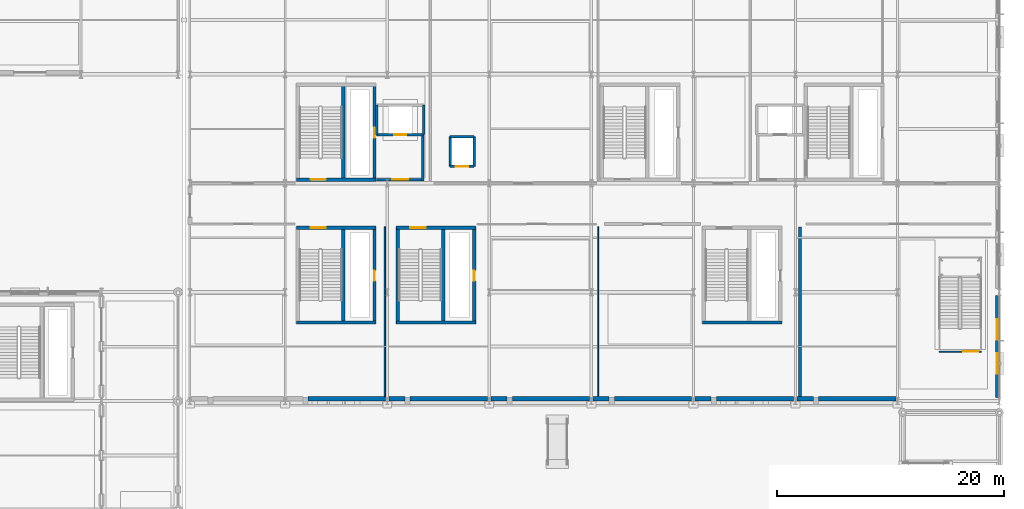
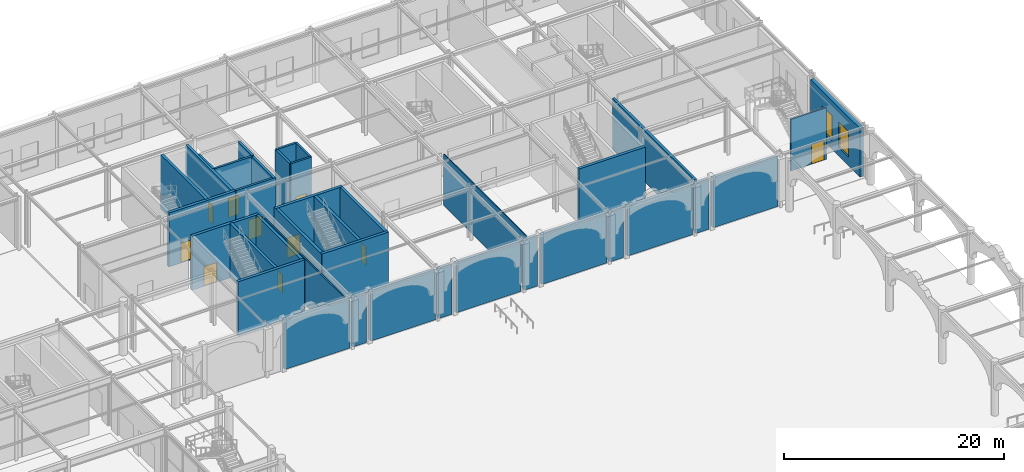
# One storey, part 67 of 113: 38 walls, 10 doors, 2 windows, 12 openings.
"""IFC4 building model written with IfcOpenShell, lengths in metres."""

from ifc_helpers import new_model, si_unit, direction, frame, frame_2d, origin, place, context, subcontext, project, spatial, rectangle, extrude, material, layer, layer_set, type_object, element, fill, save


model = new_model("IFC4")

# Units and contexts
model_context = context("Model", 3, precision=1e-05, world=origin(), true_north=direction((0.0, 1.0)))
body_context = subcontext(model_context, "Body", "Model", "MODEL_VIEW")
ifc_project = project(units=[si_unit("LENGTHUNIT", "METRE"), si_unit("AREAUNIT", "SQUARE_METRE"), si_unit("VOLUMEUNIT", "CUBIC_METRE"), si_unit("PLANEANGLEUNIT", "RADIAN"), si_unit("MASSUNIT", "GRAM", prefix="KILO")], contexts=[model_context])

# Site, building, storey
site_placement = place(None, origin())
site = spatial("IfcSite", under=ifc_project, at=site_placement, CompositionType="ELEMENT")
building_placement = place(site_placement, origin())
building = spatial("IfcBuilding", under=site, at=building_placement, Name="Myrtia Square Station", CompositionType="ELEMENT")
storey_placement = place(building_placement, origin())
storey = spatial("IfcBuildingStorey", under=building, at=storey_placement, Name="L00", CompositionType="ELEMENT", Elevation=0.0)

# Wall, opening, door
ifc_material_1 = material(Name="Concrete C35/45", Category="concrete")
ifc_layer_1 = layer(ifc_material_1, 0.300048828125, Name="Concrete C35/45")
ifc_layer_set_1 = layer_set([ifc_layer_1], Name="Concrete C35/45")
wall_type_1 = type_object("IfcWallType", Name="WL-CORE-300", PredefinedType="SHEAR", material=ifc_layer_set_1)
wall_1_placement = place(storey_placement, frame((127.0, 105.925048828125, 0.0), z_axis=(0.0, 0.0, 1.0), x_axis=(1.0, 0.0, 0.0)))
wall_1 = element("IfcWall", 1, at=wall_1_placement, inside=storey, type_object=wall_type_1, Name="Core K7 shear wall L00 S", PredefinedType="SHEAR", context=body_context, shape_type="SweptSolid", body=[
    extrude(rectangle(XDim=7.0, YDim=0.300048828125, at=frame_2d((3.5, 0.0))), origin(), (0.0, 0.0, 1.0), 6.0),
])
opening_1_placement = place(wall_1_placement, frame((1.25, 0.0, 0.0)))
opening_1 = element("IfcOpeningElement", 2, at=opening_1_placement, cuts=wall_1, Name="Opening SD-110", PredefinedType="OPENING", context=body_context, shape_type="SweptSolid", body=[
    extrude(rectangle(XDim=1.35009765625, YDim=2.199951171875, at=frame_2d((0.675048828125, 1.10009765625))), frame((0.0, 0.1650390625, 0.0), z_axis=(0.0, -1.0, 0.0), x_axis=(1.0, 0.0, 0.0)), (0.0, 0.0, 1.0), 0.330078125),
])
ifc_material_2 = material(Name="Dark bronze anodised aluminium", Category="aluminium")
door_type_1 = type_object("IfcDoorType", Name="DR-STAIR-1350x2200", OperationType="NOTDEFINED", PredefinedType="DOOR", material=ifc_material_2)
door_1_placement = place(opening_1_placement, frame((1.35009765625, 0.0, 0.0), z_axis=(0.0, 0.0, 1.0), x_axis=(-1.0, 0.0, 0.0)))
door_1 = element("IfcDoor", 3, at=door_1_placement, inside=storey, type_object=door_type_1, Name="Protected stair fire door K7 L00", OperationType="SINGLE_SWING_RIGHT", OverallHeight=2.199951171875, OverallWidth=1.35009765625, PredefinedType="DOOR", context=body_context, shape_type="SweptSolid", body=[
    extrude(rectangle(XDim=1.35009765625, YDim=2.199951171875, at=frame_2d((0.675048828125, 1.10009765625))), frame((0.0, 0.02490234375, 0.0), z_axis=(0.0, -1.0, 0.0), x_axis=(1.0, 0.0, 0.0)), (0.0, 0.0, 1.0), 0.050048828125),
])
fill(opening_1, door_1)

wall_2_placement = place(storey_placement, frame((133.875, 105.800048828125, 0.0), z_axis=(0.0, 0.0, 1.0), x_axis=(0.0, 1.0, 0.0)))
wall_2 = element("IfcWall", 4, at=wall_2_placement, inside=storey, type_object=wall_type_1, Name="Core K7 shear wall L00 E", PredefinedType="SHEAR", context=body_context, shape_type="SweptSolid", body=[
    extrude(rectangle(XDim=8.599853515625, YDim=0.300048828125, at=frame_2d((4.2998046875, 0.0))), origin(), (0.0, 0.0, 1.0), 6.0),
])
opening_2_placement = place(wall_2_placement, frame((3.800048828125, 0.0, 0.0)))
opening_2 = element("IfcOpeningElement", 5, at=opening_2_placement, cuts=wall_2, Name="Opening RD-111", PredefinedType="OPENING", context=body_context, shape_type="SweptSolid", body=[
    extrude(rectangle(XDim=0.89990234375, YDim=2.050048828125, at=frame_2d((0.449951171875, 1.02490234375))), frame((0.0, 0.1650390625, 0.0), z_axis=(0.0, -1.0, 0.0), x_axis=(1.0, 0.0, 0.0)), (0.0, 0.0, 1.0), 0.330078125),
])
door_type_2 = type_object("IfcDoorType", Name="DR-RISER-900x2050", OperationType="NOTDEFINED", PredefinedType="DOOR", material=ifc_material_2)
door_2_placement = place(opening_2_placement, origin())
door_2 = element("IfcDoor", 6, at=door_2_placement, inside=storey, type_object=door_type_2, Name="Riser cupboard access door K7 L00", OperationType="SINGLE_SWING_LEFT", OverallHeight=2.050048828125, OverallWidth=0.89990234375, PredefinedType="DOOR", context=body_context, shape_type="SweptSolid", body=[
    extrude(rectangle(XDim=0.89990234375, YDim=2.050048828125, at=frame_2d((0.449951171875, 1.02490234375))), frame((0.0, 0.02490234375, 0.0), z_axis=(0.0, -1.0, 0.0), x_axis=(1.0, 0.0, 0.0)), (0.0, 0.0, 1.0), 0.050048828125),
])
fill(opening_2, door_2)

# Walls
wall_3_placement = place(storey_placement, frame((131.139892578125, 106.0, 0.0), z_axis=(0.0, 0.0, 1.0), x_axis=(0.0, 1.0, 0.0)))
element("IfcWall", 7, at=wall_3_placement, inside=storey, type_object=wall_type_1, Name="Core K7 shear wall L00 D", PredefinedType="SHEAR", context=body_context, shape_type="SweptSolid", body=[
    extrude(rectangle(XDim=8.199951171875, YDim=0.300048828125, at=frame_2d((4.10009765625, 0.0))), origin(), (0.0, 0.0, 1.0), 6.0),
])
wall_4_placement = place(storey_placement, frame((127.0, 93.324951171875, 0.0), z_axis=(0.0, 0.0, 1.0), x_axis=(1.0, 0.0, 0.0)))
element("IfcWall", 8, at=wall_4_placement, inside=storey, type_object=wall_type_1, Name="Core K12 shear wall L00 S", PredefinedType="SHEAR", context=body_context, shape_type="SweptSolid", body=[
    extrude(rectangle(XDim=7.0, YDim=0.300048828125, at=frame_2d((3.5, 0.0))), origin(), (0.0, 0.0, 1.0), 6.0),
])

# Wall, opening, door
wall_5_placement = place(storey_placement, frame((127.0, 101.675048828125, 0.0), z_axis=(0.0, 0.0, 1.0), x_axis=(1.0, 0.0, 0.0)))
wall_5 = element("IfcWall", 9, at=wall_5_placement, inside=storey, type_object=wall_type_1, Name="Core K12 shear wall L00 N", PredefinedType="SHEAR", context=body_context, shape_type="SweptSolid", body=[
    extrude(rectangle(XDim=7.0, YDim=0.300048828125, at=frame_2d((3.5, 0.0))), origin(), (0.0, 0.0, 1.0), 6.0),
])
opening_3_placement = place(wall_5_placement, frame((1.25, 0.0, 0.0)))
opening_3 = element("IfcOpeningElement", 10, at=opening_3_placement, cuts=wall_5, Name="Opening SD-145", PredefinedType="OPENING", context=body_context, shape_type="SweptSolid", body=[
    extrude(rectangle(XDim=1.35009765625, YDim=2.199951171875, at=frame_2d((0.675048828125, 1.10009765625))), frame((0.0, 0.1650390625, 0.0), z_axis=(0.0, -1.0, 0.0), x_axis=(1.0, 0.0, 0.0)), (0.0, 0.0, 1.0), 0.330078125),
])
door_3_placement = place(opening_3_placement, origin())
door_3 = element("IfcDoor", 11, at=door_3_placement, inside=storey, type_object=door_type_1, Name="Protected stair fire door K12 L00", OperationType="SINGLE_SWING_LEFT", OverallHeight=2.199951171875, OverallWidth=1.35009765625, PredefinedType="DOOR", context=body_context, shape_type="SweptSolid", body=[
    extrude(rectangle(XDim=1.35009765625, YDim=2.199951171875, at=frame_2d((0.675048828125, 1.10009765625))), frame((0.0, 0.02490234375, 0.0), z_axis=(0.0, -1.0, 0.0), x_axis=(1.0, 0.0, 0.0)), (0.0, 0.0, 1.0), 0.050048828125),
])
fill(opening_3, door_3)

wall_6_placement = place(storey_placement, frame((133.875, 93.199951171875, 0.0), z_axis=(0.0, 0.0, 1.0), x_axis=(0.0, 1.0, 0.0)))
wall_6 = element("IfcWall", 12, at=wall_6_placement, inside=storey, type_object=wall_type_1, Name="Core K12 shear wall L00 E", PredefinedType="SHEAR", context=body_context, shape_type="SweptSolid", body=[
    extrude(rectangle(XDim=8.60009765625, YDim=0.300048828125, at=frame_2d((4.300048828125, 0.0))), origin(), (0.0, 0.0, 1.0), 6.0),
])
opening_4_placement = place(wall_6_placement, frame((3.800048828125, 0.0, 0.0)))
opening_4 = element("IfcOpeningElement", 13, at=opening_4_placement, cuts=wall_6, Name="Opening RD-146", PredefinedType="OPENING", context=body_context, shape_type="SweptSolid", body=[
    extrude(rectangle(XDim=0.89990234375, YDim=2.050048828125, at=frame_2d((0.449951171875, 1.02490234375))), frame((0.0, 0.1650390625, 0.0), z_axis=(0.0, -1.0, 0.0), x_axis=(1.0, 0.0, 0.0)), (0.0, 0.0, 1.0), 0.330078125),
])
door_4_placement = place(opening_4_placement, origin())
door_4 = element("IfcDoor", 14, at=door_4_placement, inside=storey, type_object=door_type_2, Name="Riser cupboard access door K12 L00", OperationType="SINGLE_SWING_RIGHT", OverallHeight=2.050048828125, OverallWidth=0.89990234375, PredefinedType="DOOR", context=body_context, shape_type="SweptSolid", body=[
    extrude(rectangle(XDim=0.89990234375, YDim=2.050048828125, at=frame_2d((0.449951171875, 1.02490234375))), frame((0.0, 0.02490234375, 0.0), z_axis=(0.0, -1.0, 0.0), x_axis=(1.0, 0.0, 0.0)), (0.0, 0.0, 1.0), 0.050048828125),
])
fill(opening_4, door_4)

# Walls
wall_7_placement = place(storey_placement, frame((131.139892578125, 93.39990234375, 0.0), z_axis=(0.0, 0.0, 1.0), x_axis=(0.0, 1.0, 0.0)))
element("IfcWall", 15, at=wall_7_placement, inside=storey, type_object=wall_type_1, Name="Core K12 shear wall L00 D", PredefinedType="SHEAR", context=body_context, shape_type="SweptSolid", body=[
    extrude(rectangle(XDim=8.2001953125, YDim=0.300048828125, at=frame_2d((4.10009765625, 0.0))), origin(), (0.0, 0.0, 1.0), 6.0),
])
wall_8_placement = place(storey_placement, frame((135.800048828125, 93.324951171875, 0.0), z_axis=(0.0, 0.0, 1.0), x_axis=(1.0, 0.0, 0.0)))
element("IfcWall", 16, at=wall_8_placement, inside=storey, type_object=wall_type_1, Name="Core K13 shear wall L00 S", PredefinedType="SHEAR", context=body_context, shape_type="SweptSolid", body=[
    extrude(rectangle(XDim=7.0, YDim=0.300048828125, at=frame_2d((3.5, 0.0))), origin(), (0.0, 0.0, 1.0), 6.0),
])

# Wall, opening, door
wall_9_placement = place(storey_placement, frame((135.800048828125, 101.675048828125, 0.0), z_axis=(0.0, 0.0, 1.0), x_axis=(1.0, 0.0, 0.0)))
wall_9 = element("IfcWall", 17, at=wall_9_placement, inside=storey, type_object=wall_type_1, Name="Core K13 shear wall L00 N", PredefinedType="SHEAR", context=body_context, shape_type="SweptSolid", body=[
    extrude(rectangle(XDim=7.0, YDim=0.300048828125, at=frame_2d((3.5, 0.0))), origin(), (0.0, 0.0, 1.0), 6.0),
])
opening_5_placement = place(wall_9_placement, frame((1.25, 0.0, 0.0)))
opening_5 = element("IfcOpeningElement", 18, at=opening_5_placement, cuts=wall_9, Name="Opening SD-155", PredefinedType="OPENING", context=body_context, shape_type="SweptSolid", body=[
    extrude(rectangle(XDim=1.35009765625, YDim=2.199951171875, at=frame_2d((0.675048828125, 1.10009765625))), frame((0.0, 0.1650390625, 0.0), z_axis=(0.0, -1.0, 0.0), x_axis=(1.0, 0.0, 0.0)), (0.0, 0.0, 1.0), 0.330078125),
])
door_5_placement = place(opening_5_placement, origin())
door_5 = element("IfcDoor", 19, at=door_5_placement, inside=storey, type_object=door_type_1, Name="Protected stair fire door K13 L00", OperationType="SINGLE_SWING_LEFT", OverallHeight=2.199951171875, OverallWidth=1.35009765625, PredefinedType="DOOR", context=body_context, shape_type="SweptSolid", body=[
    extrude(rectangle(XDim=1.35009765625, YDim=2.199951171875, at=frame_2d((0.675048828125, 1.10009765625))), frame((0.0, 0.02490234375, 0.0), z_axis=(0.0, -1.0, 0.0), x_axis=(1.0, 0.0, 0.0)), (0.0, 0.0, 1.0), 0.050048828125),
])
fill(opening_5, door_5)

# Wall
wall_10_placement = place(storey_placement, frame((135.925048828125, 93.199951171875, 0.0), z_axis=(0.0, 0.0, 1.0), x_axis=(0.0, 1.0, 0.0)))
element("IfcWall", 20, at=wall_10_placement, inside=storey, type_object=wall_type_1, Name="Core K13 shear wall L00 W", PredefinedType="SHEAR", context=body_context, shape_type="SweptSolid", body=[
    extrude(rectangle(XDim=8.60009765625, YDim=0.300048828125, at=frame_2d((4.300048828125, 0.0))), origin(), (0.0, 0.0, 1.0), 6.0),
])

# Wall, opening, door
wall_11_placement = place(storey_placement, frame((142.675048828125, 93.199951171875, 0.0), z_axis=(0.0, 0.0, 1.0), x_axis=(0.0, 1.0, 0.0)))
wall_11 = element("IfcWall", 21, at=wall_11_placement, inside=storey, type_object=wall_type_1, Name="Core K13 shear wall L00 E", PredefinedType="SHEAR", context=body_context, shape_type="SweptSolid", body=[
    extrude(rectangle(XDim=8.60009765625, YDim=0.300048828125, at=frame_2d((4.300048828125, 0.0))), origin(), (0.0, 0.0, 1.0), 6.0),
])
opening_6_placement = place(wall_11_placement, frame((3.800048828125, 0.0, 0.0)))
opening_6 = element("IfcOpeningElement", 22, at=opening_6_placement, cuts=wall_11, Name="Opening RD-156", PredefinedType="OPENING", context=body_context, shape_type="SweptSolid", body=[
    extrude(rectangle(XDim=0.89990234375, YDim=2.050048828125, at=frame_2d((0.449951171875, 1.02490234375))), frame((0.0, 0.1650390625, 0.0), z_axis=(0.0, -1.0, 0.0), x_axis=(1.0, 0.0, 0.0)), (0.0, 0.0, 1.0), 0.330078125),
])
door_6_placement = place(opening_6_placement, origin())
door_6 = element("IfcDoor", 23, at=door_6_placement, inside=storey, type_object=door_type_2, Name="Riser cupboard access door K13 L00", OperationType="SINGLE_SWING_RIGHT", OverallHeight=2.050048828125, OverallWidth=0.89990234375, PredefinedType="DOOR", context=body_context, shape_type="SweptSolid", body=[
    extrude(rectangle(XDim=0.89990234375, YDim=2.050048828125, at=frame_2d((0.449951171875, 1.02490234375))), frame((0.0, 0.02490234375, 0.0), z_axis=(0.0, -1.0, 0.0), x_axis=(1.0, 0.0, 0.0)), (0.0, 0.0, 1.0), 0.050048828125),
])
fill(opening_6, door_6)

# Walls
wall_12_placement = place(storey_placement, frame((139.93994140625, 93.39990234375, 0.0), z_axis=(0.0, 0.0, 1.0), x_axis=(0.0, 1.0, 0.0)))
element("IfcWall", 24, at=wall_12_placement, inside=storey, type_object=wall_type_1, Name="Core K13 shear wall L00 D", PredefinedType="SHEAR", context=body_context, shape_type="SweptSolid", body=[
    extrude(rectangle(XDim=8.2001953125, YDim=0.300048828125, at=frame_2d((4.10009765625, 0.0))), origin(), (0.0, 0.0, 1.0), 6.0),
])
wall_13_placement = place(storey_placement, frame((162.800048828125, 93.324951171875, 0.0), z_axis=(0.0, 0.0, 1.0), x_axis=(1.0, 0.0, 0.0)))
element("IfcWall", 25, at=wall_13_placement, inside=storey, type_object=wall_type_1, Name="Core K16 shear wall L00 S", PredefinedType="SHEAR", context=body_context, shape_type="SweptSolid", body=[
    extrude(rectangle(XDim=7.0, YDim=0.300048828125, at=frame_2d((3.5, 0.0))), origin(), (0.0, 0.0, 1.0), 6.0),
])
ifc_material_3 = material(Name="Pentelic marble ashlar", Category="masonry")
ifc_layer_2 = layer(ifc_material_3, 0.3798828125, Name="Pentelic marble ashlar")
ifc_layer_set_2 = layer_set([ifc_layer_2], Name="Pentelic marble ashlar")
wall_type_2 = type_object("IfcWallType", Name="WL-EXT-ASHLAR-380", PredefinedType="SOLIDWALL", material=ifc_layer_set_2)
wall_14_placement = place(storey_placement, frame((128.030029296875, 86.60009765625, 0.0), z_axis=(0.0, 0.0, 1.0), x_axis=(1.0, 0.0, 0.0)))
element("IfcWall", 26, at=wall_14_placement, inside=storey, type_object=wall_type_2, Name="Exterior envelope wall EW-L00-0085", PredefinedType="SOLIDWALL", context=body_context, shape_type="SweptSolid", body=[
    extrude(rectangle(XDim=6.81494140625, YDim=0.3798828125, at=frame_2d((3.407470703125, 0.0))), origin(), (0.0, 0.0, 1.0), 5.489990234375),
])
wall_15_placement = place(storey_placement, frame((135.155029296875, 86.60009765625, 0.0), z_axis=(0.0, 0.0, 1.0), x_axis=(1.0, 0.0, 0.0)))
element("IfcWall", 27, at=wall_15_placement, inside=storey, type_object=wall_type_2, Name="Exterior envelope wall EW-L00-0086", PredefinedType="SOLIDWALL", context=body_context, shape_type="SweptSolid", body=[
    extrude(rectangle(XDim=1.4150390625, YDim=0.3798828125, at=frame_2d((0.70751953125, 0.0))), origin(), (0.0, 0.0, 1.0), 5.489990234375),
])
wall_16_placement = place(storey_placement, frame((137.030029296875, 86.60009765625, 0.0), z_axis=(0.0, 0.0, 1.0), x_axis=(1.0, 0.0, 0.0)))
element("IfcWall", 28, at=wall_16_placement, inside=storey, type_object=wall_type_2, Name="Exterior envelope wall EW-L00-0087", PredefinedType="SOLIDWALL", context=body_context, shape_type="SweptSolid", body=[
    extrude(rectangle(XDim=6.81494140625, YDim=0.3798828125, at=frame_2d((3.407470703125, 0.0))), origin(), (0.0, 0.0, 1.0), 5.489990234375),
])
wall_17_placement = place(storey_placement, frame((144.155029296875, 86.60009765625, 0.0), z_axis=(0.0, 0.0, 1.0), x_axis=(1.0, 0.0, 0.0)))
element("IfcWall", 29, at=wall_17_placement, inside=storey, type_object=wall_type_2, Name="Exterior envelope wall EW-L00-0088", PredefinedType="SOLIDWALL", context=body_context, shape_type="SweptSolid", body=[
    extrude(rectangle(XDim=1.4150390625, YDim=0.3798828125, at=frame_2d((0.70751953125, 0.0))), origin(), (0.0, 0.0, 1.0), 5.489990234375),
])
wall_18_placement = place(storey_placement, frame((146.030029296875, 86.60009765625, 0.0), z_axis=(0.0, 0.0, 1.0), x_axis=(1.0, 0.0, 0.0)))
element("IfcWall", 30, at=wall_18_placement, inside=storey, type_object=wall_type_2, Name="Exterior envelope wall EW-L00-0089", PredefinedType="SOLIDWALL", context=body_context, shape_type="SweptSolid", body=[
    extrude(rectangle(XDim=6.81494140625, YDim=0.3798828125, at=frame_2d((3.407470703125, 0.0))), origin(), (0.0, 0.0, 1.0), 5.489990234375),
])
wall_19_placement = place(storey_placement, frame((153.155029296875, 86.60009765625, 0.0), z_axis=(0.0, 0.0, 1.0), x_axis=(1.0, 0.0, 0.0)))
element("IfcWall", 31, at=wall_19_placement, inside=storey, type_object=wall_type_2, Name="Exterior envelope wall EW-L00-0090", PredefinedType="SOLIDWALL", context=body_context, shape_type="SweptSolid", body=[
    extrude(rectangle(XDim=1.4150390625, YDim=0.3798828125, at=frame_2d((0.70751953125, 0.0))), origin(), (0.0, 0.0, 1.0), 5.489990234375),
])
wall_20_placement = place(storey_placement, frame((155.030029296875, 86.60009765625, 0.0), z_axis=(0.0, 0.0, 1.0), x_axis=(1.0, 0.0, 0.0)))
element("IfcWall", 32, at=wall_20_placement, inside=storey, type_object=wall_type_2, Name="Exterior envelope wall EW-L00-0091", PredefinedType="SOLIDWALL", context=body_context, shape_type="SweptSolid", body=[
    extrude(rectangle(XDim=6.81494140625, YDim=0.3798828125, at=frame_2d((3.407470703125, 0.0))), origin(), (0.0, 0.0, 1.0), 5.489990234375),
])
wall_21_placement = place(storey_placement, frame((162.155029296875, 86.60009765625, 0.0), z_axis=(0.0, 0.0, 1.0), x_axis=(1.0, 0.0, 0.0)))
element("IfcWall", 33, at=wall_21_placement, inside=storey, type_object=wall_type_2, Name="Exterior envelope wall EW-L00-0092", PredefinedType="SOLIDWALL", context=body_context, shape_type="SweptSolid", body=[
    extrude(rectangle(XDim=1.4150390625, YDim=0.3798828125, at=frame_2d((0.70751953125, 0.0))), origin(), (0.0, 0.0, 1.0), 5.489990234375),
])
wall_22_placement = place(storey_placement, frame((164.030029296875, 86.60009765625, 0.0), z_axis=(0.0, 0.0, 1.0), x_axis=(1.0, 0.0, 0.0)))
element("IfcWall", 34, at=wall_22_placement, inside=storey, type_object=wall_type_2, Name="Exterior envelope wall EW-L00-0093", PredefinedType="SOLIDWALL", context=body_context, shape_type="SweptSolid", body=[
    extrude(rectangle(XDim=6.81494140625, YDim=0.3798828125, at=frame_2d((3.407470703125, 0.0))), origin(), (0.0, 0.0, 1.0), 5.489990234375),
])
wall_23_placement = place(storey_placement, frame((171.155029296875, 86.60009765625, 0.0), z_axis=(0.0, 0.0, 1.0), x_axis=(1.0, 0.0, 0.0)))
element("IfcWall", 35, at=wall_23_placement, inside=storey, type_object=wall_type_2, Name="Exterior envelope wall EW-L00-0094", PredefinedType="SOLIDWALL", context=body_context, shape_type="SweptSolid", body=[
    extrude(rectangle(XDim=1.4150390625, YDim=0.3798828125, at=frame_2d((0.70751953125, 0.0))), origin(), (0.0, 0.0, 1.0), 5.489990234375),
])
wall_24_placement = place(storey_placement, frame((173.030029296875, 86.60009765625, 0.0), z_axis=(0.0, 0.0, 1.0), x_axis=(1.0, 0.0, 0.0)))
element("IfcWall", 36, at=wall_24_placement, inside=storey, type_object=wall_type_2, Name="Exterior envelope wall EW-L00-0095", PredefinedType="SOLIDWALL", context=body_context, shape_type="SweptSolid", body=[
    extrude(rectangle(XDim=6.81494140625, YDim=0.3798828125, at=frame_2d((3.407470703125, 0.0))), origin(), (0.0, 0.0, 1.0), 5.489990234375),
])

# Wall, openings, windows
ifc_material_4 = material(Name="Cream lime stucco on clay brick masonry", Category="masonry")
ifc_layer_3 = layer(ifc_material_4, 0.360107421875, Name="Cream lime stucco on clay brick masonry")
ifc_layer_set_3 = layer_set([ifc_layer_3], Name="Cream lime stucco on clay brick masonry")
wall_type_3 = type_object("IfcWallType", Name="WL-EXT-STUCCO-360", PredefinedType="SOLIDWALL", material=ifc_layer_set_3)
wall_25_placement = place(storey_placement, frame((188.800048828125, 86.705078125, 0.0), z_axis=(0.0, 0.0, 1.0), x_axis=(0.0, 1.0, 0.0)))
wall_25 = element("IfcWall", 37, at=wall_25_placement, inside=storey, type_object=wall_type_3, Name="Exterior envelope wall EW-L00-0104", PredefinedType="SOLIDWALL", context=body_context, shape_type="SweptSolid", body=[
    extrude(rectangle(XDim=8.989990234375, YDim=0.360107421875, at=frame_2d((4.4951171875, 0.0))), origin(), (0.0, 0.0, 1.0), 5.39990234375),
])
opening_7_placement = place(wall_25_placement, frame((2.096923828125, 0.0, 0.949951171875)))
opening_7 = element("IfcOpeningElement", 38, at=opening_7_placement, cuts=wall_25, Name="Opening WN-101", PredefinedType="OPENING", context=body_context, shape_type="SweptSolid", body=[
    extrude(rectangle(XDim=1.800048828125, YDim=2.800048828125, at=frame_2d((0.89990234375, 1.39990234375))), frame((0.0, 0.195068359375, 0.0), z_axis=(0.0, -1.0, 0.0), x_axis=(1.0, 0.0, 0.0)), (0.0, 0.0, 1.0), 0.39013671875),
])
opening_8_placement = place(wall_25_placement, frame((5.093017578125, 0.0, 0.949951171875)))
opening_8 = element("IfcOpeningElement", 39, at=opening_8_placement, cuts=wall_25, Name="Opening WN-102", PredefinedType="OPENING", context=body_context, shape_type="SweptSolid", body=[
    extrude(rectangle(XDim=1.800048828125, YDim=2.800048828125, at=frame_2d((0.89990234375, 1.39990234375))), frame((0.0, 0.195068359375, 0.0), z_axis=(0.0, -1.0, 0.0), x_axis=(1.0, 0.0, 0.0)), (0.0, 0.0, 1.0), 0.39013671875),
])
ifc_material_5 = material(Name="Tinted low-E solar control glass", Category="glass")
window_type = type_object("IfcWindowType", Name="WN-ARCH-1800x2800", PartitioningType="SINGLE_PANEL", PredefinedType="WINDOW", material=ifc_material_5)
window_1_placement = place(opening_7_placement, origin())
window_1 = element("IfcWindow", 40, at=window_1_placement, inside=storey, type_object=window_type, Name="Window WN-101", OverallHeight=2.800048828125, OverallWidth=1.800048828125, PartitioningType="SINGLE_PANEL", PredefinedType="WINDOW", context=body_context, shape_type="SweptSolid", body=[
    extrude(rectangle(XDim=1.800048828125, YDim=2.800048828125, at=frame_2d((0.89990234375, 1.39990234375))), frame((0.0, 0.030029296875, 0.0), z_axis=(0.0, -1.0, 0.0), x_axis=(1.0, 0.0, 0.0)), (0.0, 0.0, 1.0), 0.06005859375),
])
fill(opening_7, window_1)
window_2_placement = place(opening_8_placement, origin())
window_2 = element("IfcWindow", 41, at=window_2_placement, inside=storey, type_object=window_type, Name="Window WN-102", OverallHeight=2.800048828125, OverallWidth=1.800048828125, PartitioningType="SINGLE_PANEL", PredefinedType="WINDOW", context=body_context, shape_type="SweptSolid", body=[
    extrude(rectangle(XDim=1.800048828125, YDim=2.800048828125, at=frame_2d((0.89990234375, 1.39990234375))), frame((0.0, 0.030029296875, 0.0), z_axis=(0.0, -1.0, 0.0), x_axis=(1.0, 0.0, 0.0)), (0.0, 0.0, 1.0), 0.06005859375),
])
fill(opening_8, window_2)

# Wall
ifc_layer_4 = layer(ifc_material_1, 0.239990234375, Name="Concrete C35/45")
ifc_layer_set_4 = layer_set([ifc_layer_4], Name="Concrete C35/45")
wall_type_4 = type_object("IfcWallType", Name="WL-FFL-240", PredefinedType="SHEAR", material=ifc_layer_set_4)
wall_26_placement = place(storey_placement, frame((138.1298828125, 105.800048828125, 0.0), z_axis=(0.0, 0.0, 1.0), x_axis=(0.0, 1.0, 0.0)))
element("IfcWall", 42, at=wall_26_placement, inside=storey, type_object=wall_type_4, Name="Firefighting lift lobby EI 120 wall K7 L00 E", PredefinedType="SHEAR", context=body_context, shape_type="SweptSolid", body=[
    extrude(rectangle(XDim=4.0, YDim=0.239990234375, at=frame_2d((2.0, 0.0))), origin(), (0.0, 0.0, 1.0), 6.0),
])

# Wall, opening, door
wall_27_placement = place(storey_placement, frame((134.050048828125, 105.919921875, 0.0), z_axis=(0.0, 0.0, 1.0), x_axis=(1.0, 0.0, 0.0)))
wall_27 = element("IfcWall", 43, at=wall_27_placement, inside=storey, type_object=wall_type_4, Name="Firefighting lift lobby EI 120 wall K7 L00 S", PredefinedType="SHEAR", context=body_context, shape_type="SweptSolid", body=[
    extrude(rectangle(XDim=4.199951171875, YDim=0.239990234375, at=frame_2d((2.10009765625, 0.0))), origin(), (0.0, 0.0, 1.0), 6.0),
])
opening_9_placement = place(wall_27_placement, frame((1.39990234375, 0.0, 0.0)))
opening_9 = element("IfcOpeningElement", 44, at=opening_9_placement, cuts=wall_27, Name="Opening FD-112", PredefinedType="OPENING", context=body_context, shape_type="SweptSolid", body=[
    extrude(rectangle(XDim=1.39990234375, YDim=2.199951171875, at=frame_2d((0.699951171875, 1.10009765625))), frame((0.0, 0.135009765625, 0.0), z_axis=(0.0, -1.0, 0.0), x_axis=(1.0, 0.0, 0.0)), (0.0, 0.0, 1.0), 0.27001953125),
])
door_type_3 = type_object("IfcDoorType", Name="DR-FFL-1400x2200", OperationType="NOTDEFINED", PredefinedType="DOOR", material=ifc_material_2)
door_7_placement = place(opening_9_placement, frame((1.39990234375, 0.0, 0.0), z_axis=(0.0, 0.0, 1.0), x_axis=(-1.0, 0.0, 0.0)))
door_7 = element("IfcDoor", 45, at=door_7_placement, inside=storey, type_object=door_type_3, Name="Firefighting lobby fire door K7 L00", OperationType="SINGLE_SWING_RIGHT", OverallHeight=2.199951171875, OverallWidth=1.39990234375, PredefinedType="DOOR", context=body_context, shape_type="SweptSolid", body=[
    extrude(rectangle(XDim=1.39990234375, YDim=2.199951171875, at=frame_2d((0.699951171875, 1.10009765625))), frame((0.0, 0.02490234375, 0.0), z_axis=(0.0, -1.0, 0.0), x_axis=(1.0, 0.0, 0.0)), (0.0, 0.0, 1.0), 0.050048828125),
])
fill(opening_9, door_7)

ifc_layer_5 = layer(ifc_material_1, 0.219970703125, Name="Concrete C35/45")
ifc_layer_set_5 = layer_set([ifc_layer_5], Name="Concrete C35/45")
wall_type_5 = type_object("IfcWallType", Name="WL-LIFT-220", PredefinedType="SHEAR", material=ifc_layer_set_5)
wall_28_placement = place(storey_placement, frame((140.5400390625, 107.090087890625, 0.0), z_axis=(0.0, 0.0, 1.0), x_axis=(1.0, 0.0, 0.0)))
wall_28 = element("IfcWall", 46, at=wall_28_placement, inside=storey, type_object=wall_type_5, Name="Lift shaft wall PL-08 L00 -Y", PredefinedType="SHEAR", context=body_context, shape_type="SweptSolid", body=[
    extrude(rectangle(XDim=2.119873046875, YDim=0.219970703125, at=frame_2d((1.06005859375, 0.0))), origin(), (0.0, 0.0, 1.0), 6.0),
])
opening_10_placement = place(wall_28_placement, frame((0.510009765625, 0.0, 0.0)))
opening_10 = element("IfcOpeningElement", 47, at=opening_10_placement, cuts=wall_28, Name="Opening LD-PL-08", PredefinedType="OPENING", context=body_context, shape_type="SweptSolid", body=[
    extrude(rectangle(XDim=1.10009765625, YDim=2.14990234375, at=frame_2d((0.550048828125, 1.074951171875))), frame((0.0, 0.125, 0.0), z_axis=(0.0, -1.0, 0.0), x_axis=(1.0, 0.0, 0.0)), (0.0, 0.0, 1.0), 0.25),
])
door_type_4 = type_object("IfcDoorType", Name="DR-LIFT-1100x2150", OperationType="NOTDEFINED", PredefinedType="DOOR", material=ifc_material_2)
door_8_placement = place(opening_10_placement, origin())
door_8 = element("IfcDoor", 48, at=door_8_placement, inside=storey, type_object=door_type_4, Name="Lift landing door PL-08 L00", OperationType="SLIDING_TO_LEFT", OverallHeight=2.14990234375, OverallWidth=1.10009765625, PredefinedType="DOOR", context=body_context, shape_type="SweptSolid", body=[
    extrude(rectangle(XDim=1.10009765625, YDim=2.14990234375, at=frame_2d((0.550048828125, 1.074951171875))), frame((0.0, 0.02490234375, 0.0), z_axis=(0.0, -1.0, 0.0), x_axis=(1.0, 0.0, 0.0)), (0.0, 0.0, 1.0), 0.050048828125),
])
fill(opening_10, door_8)

# Walls
wall_29_placement = place(storey_placement, frame((140.5400390625, 109.7099609375, 0.0), z_axis=(0.0, 0.0, 1.0), x_axis=(1.0, 0.0, 0.0)))
element("IfcWall", 49, at=wall_29_placement, inside=storey, type_object=wall_type_5, Name="Lift shaft wall PL-08 L00 +Y", PredefinedType="SHEAR", context=body_context, shape_type="SweptSolid", body=[
    extrude(rectangle(XDim=2.119873046875, YDim=0.219970703125, at=frame_2d((1.06005859375, 0.0))), origin(), (0.0, 0.0, 1.0), 6.0),
])
for number, where, z_axis, x_axis, name in (
    (50, (140.5400390625, 107.090087890625, 0.0), (0.0, 0.0, 1.0), (0.0, 1.0, 0.0), "Lift shaft wall PL-08 L00 -X"),
    (51, (142.659912109375, 107.090087890625, 0.0), (0.0, 0.0, 1.0), (0.0, 1.0, 0.0), "Lift shaft wall PL-08 L00 +X"),
):
    element("IfcWall", number, at=place(storey_placement, frame(where, z_axis=z_axis, x_axis=x_axis)), inside=storey, type_object=wall_type_5, Name=name, PredefinedType="SHEAR", context=body_context, shape_type="SweptSolid", body=[
        extrude(rectangle(XDim=2.619873046875, YDim=0.219970703125, at=frame_2d((1.31005859375, 0.0))), origin(), (0.0, 0.0, 1.0), 6.0),
    ])

# Wall, opening, door
wall_30_placement = place(storey_placement, frame((134.070068359375, 109.8798828125, 0.0), z_axis=(0.0, 0.0, 1.0), x_axis=(1.0, 0.0, 0.0)))
wall_30 = element("IfcWall", 52, at=wall_30_placement, inside=storey, type_object=wall_type_5, Name="Lift shaft wall FFL-03 L00 -Y", PredefinedType="SHEAR", context=body_context, shape_type="SweptSolid", body=[
    extrude(rectangle(XDim=4.159912109375, YDim=0.219970703125, at=frame_2d((2.080078125, 0.0))), origin(), (0.0, 0.0, 1.0), 6.0),
])
opening_11_placement = place(wall_30_placement, frame((1.530029296875, 0.0, 0.0)))
opening_11 = element("IfcOpeningElement", 53, at=opening_11_placement, cuts=wall_30, Name="Opening LD-FFL-03", PredefinedType="OPENING", context=body_context, shape_type="SweptSolid", body=[
    extrude(rectangle(XDim=1.10009765625, YDim=2.14990234375, at=frame_2d((0.550048828125, 1.074951171875))), frame((0.0, 0.125, 0.0), z_axis=(0.0, -1.0, 0.0), x_axis=(1.0, 0.0, 0.0)), (0.0, 0.0, 1.0), 0.25),
])
door_9_placement = place(opening_11_placement, origin())
door_9 = element("IfcDoor", 54, at=door_9_placement, inside=storey, type_object=door_type_4, Name="Lift landing door FFL-03 L00", OperationType="SLIDING_TO_LEFT", OverallHeight=2.14990234375, OverallWidth=1.10009765625, PredefinedType="DOOR", context=body_context, shape_type="SweptSolid", body=[
    extrude(rectangle(XDim=1.10009765625, YDim=2.14990234375, at=frame_2d((0.550048828125, 1.074951171875))), frame((0.0, 0.02490234375, 0.0), z_axis=(0.0, -1.0, 0.0), x_axis=(1.0, 0.0, 0.0)), (0.0, 0.0, 1.0), 0.050048828125),
])
fill(opening_11, door_9)

# Walls
for number, where, z_axis, x_axis, name in (
    (55, (134.070068359375, 109.8798828125, 0.0), (0.0, 0.0, 1.0), (0.0, 1.0, 0.0), "Lift shaft wall FFL-03 L00 -X"),
    (56, (138.22998046875, 109.8798828125, 0.0), (0.0, 0.0, 1.0), (0.0, 1.0, 0.0), "Lift shaft wall FFL-03 L00 +X"),
):
    element("IfcWall", number, at=place(storey_placement, frame(where, z_axis=z_axis, x_axis=x_axis)), inside=storey, type_object=wall_type_5, Name=name, PredefinedType="SHEAR", context=body_context, shape_type="SweptSolid", body=[
        extrude(rectangle(XDim=2.6201171875, YDim=0.219970703125, at=frame_2d((1.31005859375, 0.0))), origin(), (0.0, 0.0, 1.0), 6.0),
    ])
ifc_material_6 = material(Name="Gypsum plasterboard")
ifc_layer_6 = layer(ifc_material_6, 0.10009765625, Name="Gypsum plasterboard")
ifc_layer_set_6 = layer_set([ifc_layer_6], Name="Gypsum plasterboard")
wall_type_6 = type_object("IfcWallType", Name="WL-PART-100", PredefinedType="PARTITIONING", material=ifc_layer_set_6)
wall_31_placement = place(storey_placement, frame((153.60009765625, 86.794921875, 0.0), z_axis=(0.0, 0.0, 1.0), x_axis=(0.0, 1.0, 0.0)))
element("IfcWall", 57, at=wall_31_placement, inside=storey, type_object=wall_type_6, Name="Room divider partition L00-17", PredefinedType="PARTITIONING", context=body_context, shape_type="SweptSolid", body=[
    extrude(rectangle(XDim=14.955078125, YDim=0.10009765625, at=frame_2d((7.4775390625, 0.0))), origin(), (0.0, 0.0, 1.0), 5.719970703125),
])
ifc_layer_7 = layer(ifc_material_6, 0.125, Name="Gypsum plasterboard")
ifc_layer_set_7 = layer_set([ifc_layer_7], Name="Gypsum plasterboard")
wall_type_7 = type_object("IfcWallType", Name="WL-PART-125", PredefinedType="PARTITIONING", material=ifc_layer_set_7)
wall_32_placement = place(storey_placement, frame((134.800048828125, 86.794921875, 0.0), z_axis=(0.0, 0.0, 1.0), x_axis=(0.0, 1.0, 0.0)))
element("IfcWall", 58, at=wall_32_placement, inside=storey, type_object=wall_type_7, Name="Room divider partition L00-18", PredefinedType="PARTITIONING", context=body_context, shape_type="SweptSolid", body=[
    extrude(rectangle(XDim=14.955078125, YDim=0.125, at=frame_2d((7.4775390625, 0.0))), origin(), (0.0, 0.0, 1.0), 5.1298828125),
])

# Wall, opening, door
ifc_layer_8 = layer(ifc_material_6, 0.14990234375, Name="Gypsum plasterboard")
ifc_layer_set_8 = layer_set([ifc_layer_8], Name="Gypsum plasterboard")
wall_type_8 = type_object("IfcWallType", Name="WL-PART-150", PredefinedType="PARTITIONING", material=ifc_layer_set_8)
wall_33_placement = place(storey_placement, frame((183.639892578125, 90.75, 0.0), z_axis=(0.0, 0.0, 1.0), x_axis=(1.0, 0.0, 0.0)))
wall_33 = element("IfcWall", 59, at=wall_33_placement, inside=storey, type_object=wall_type_8, Name="Interchange stair smoke vestibule wall 08 L00", PredefinedType="PARTITIONING", context=body_context, shape_type="SweptSolid", body=[
    extrude(rectangle(XDim=3.760009765625, YDim=0.14990234375, at=frame_2d((1.8798828125, 0.0))), origin(), (0.0, 0.0, 1.0), 5.719970703125),
])
opening_12_placement = place(wall_33_placement, frame((2.14990234375, 0.0, 0.0)))
opening_12 = element("IfcOpeningElement", 60, at=opening_12_placement, cuts=wall_33, Name="Opening SD-197", PredefinedType="OPENING", context=body_context, shape_type="SweptSolid", body=[
    extrude(rectangle(XDim=1.35009765625, YDim=2.199951171875, at=frame_2d((0.675048828125, 1.10009765625))), frame((0.0, 0.08984375, 0.0), z_axis=(0.0, -1.0, 0.0), x_axis=(1.0, 0.0, 0.0)), (0.0, 0.0, 1.0), 0.179931640625),
])
door_10_placement = place(opening_12_placement, frame((1.35009765625, 0.0, 0.0), z_axis=(0.0, 0.0, 1.0), x_axis=(-1.0, 0.0, 0.0)))
door_10 = element("IfcDoor", 61, at=door_10_placement, inside=storey, type_object=door_type_1, Name="Interchange stair fire door 08 L00", OperationType="SINGLE_SWING_LEFT", OverallHeight=2.199951171875, OverallWidth=1.35009765625, PredefinedType="DOOR", context=body_context, shape_type="SweptSolid", body=[
    extrude(rectangle(XDim=1.35009765625, YDim=2.199951171875, at=frame_2d((0.675048828125, 1.10009765625))), frame((0.0, 0.02490234375, 0.0), z_axis=(0.0, -1.0, 0.0), x_axis=(1.0, 0.0, 0.0)), (0.0, 0.0, 1.0), 0.050048828125),
])
fill(opening_12, door_10)

# Wall
ifc_layer_9 = layer(ifc_material_4, 0.260009765625, Name="Cream lime stucco on clay brick masonry")
ifc_layer_set_9 = layer_set([ifc_layer_9], Name="Cream lime stucco on clay brick masonry")
wall_type_9 = type_object("IfcWallType", Name="WL-PART-260", PredefinedType="PARTITIONING", material=ifc_layer_set_9)
wall_34_placement = place(storey_placement, frame((171.39990234375, 86.794921875, 0.0), z_axis=(0.0, 0.0, 1.0), x_axis=(0.0, 1.0, 0.0)))
element("IfcWall", 62, at=wall_34_placement, inside=storey, type_object=wall_type_9, Name="Room divider partition L00-15", PredefinedType="PARTITIONING", context=body_context, shape_type="SweptSolid", body=[
    extrude(rectangle(XDim=14.955078125, YDim=0.260009765625, at=frame_2d((7.4775390625, 0.0))), origin(), (0.0, 0.0, 1.0), 5.719970703125),
])

save(model, "model.ifc")
